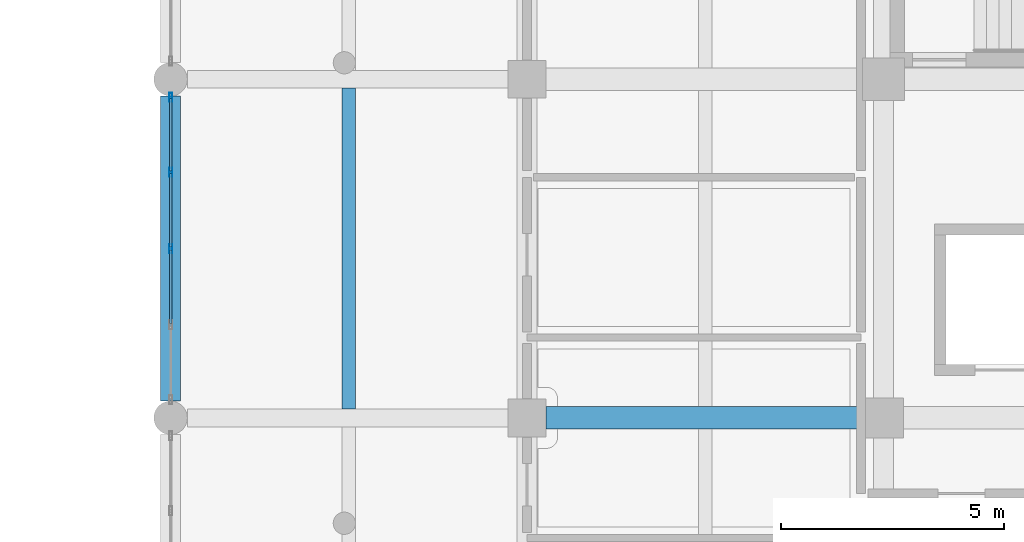
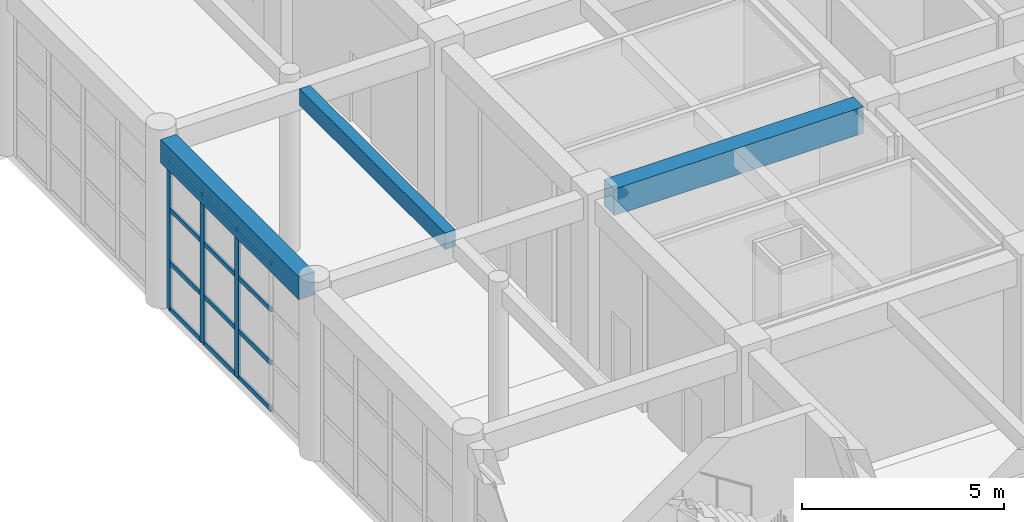
# One storey, part 26 of 95: 15 members, 3 beams, 1 element without a shape of its own.
"""IFC4 building model written with IfcOpenShell, lengths in metres."""

from ifc_helpers import new_model, si_unit, direction, frame, origin, origin_2d, place, context, subcontext, project, spatial, rectangle, hollow_rectangle, extrude, material, material_profile, profile_set, type_object, element, aggregate, save


model = new_model("IFC4")

# Units and contexts
model_context = context("Model", 3, precision=1e-05, world=origin(), true_north=direction((0.0, 1.0)))
body_context = subcontext(model_context, "Body", "Model", "MODEL_VIEW")
ifc_project = project(units=[si_unit("LENGTHUNIT", "METRE"), si_unit("AREAUNIT", "SQUARE_METRE"), si_unit("VOLUMEUNIT", "CUBIC_METRE"), si_unit("PLANEANGLEUNIT", "RADIAN"), si_unit("MASSUNIT", "GRAM", prefix="KILO")], contexts=[model_context])

# Site, building, storey
site_placement = place(None, origin())
site = spatial("IfcSite", under=ifc_project, at=site_placement, CompositionType="ELEMENT")
building_placement = place(site_placement, origin())
building = spatial("IfcBuilding", under=site, at=building_placement, Name="Zantavel Square City Hall", CompositionType="ELEMENT")
storey_placement = place(building_placement, origin())
storey = spatial("IfcBuildingStorey", under=building, at=storey_placement, Name="L01", CompositionType="ELEMENT", Elevation=0.0)

# Curtain wall, members
ifc_material_1 = material(Name="Anodised aluminium 6063-T6", Category="aluminium")
curtain_wall_type = type_object("IfcCurtainWallType", Name="Curtain Wall CRT 6850x4460", PredefinedType="USERDEFINED", material=ifc_material_1)
curtain_wall_placement = place(storey_placement, origin())
curtain_wall = element("IfcCurtainWall", 1, at=curtain_wall_placement, inside=storey, type_object=curtain_wall_type, Name="L01 Glazed Curtain Wall CW-L01-016", ObjectType="GLAZED CURTAIN WALL", PredefinedType="USERDEFINED")
ifc_material_profile_1 = material_profile(ifc_material_1, hollow_rectangle(XDim=0.070068359375, YDim=0.199951171875, WallThickness=0.00439453125, at=origin_2d()), Name="ALU 70x200x4.5")
ifc_profile_set_1 = profile_set([ifc_material_profile_1], Name="Anodised aluminium 6063-T6")
member_type_1 = type_object("IfcMemberType", Name="CW Heavy Hall Mullion ALU 70x200x4.5", PredefinedType="MULLION", material=ifc_profile_set_1)
member_1_placement = place(storey_placement, frame((48.0, 57.0, 0.0), z_axis=(0.0, 0.0, 1.0), x_axis=(-1.0, 0.0, 0.0)))
member_1 = element("IfcMember", 2, at=member_1_placement, type_object=member_type_1, Name="CW-016 mullion 3", PredefinedType="MULLION", context=body_context, shape_type="SweptSolid", body=[
    extrude(hollow_rectangle(XDim=0.070068359375, YDim=0.199951171875, WallThickness=0.00439453125, at=origin_2d()), origin(), (0.0, 0.0, 1.0), 4.4599609375),
])
member_2_placement = place(storey_placement, frame((48.0, 58.71240234375, 0.0), z_axis=(0.0, 0.0, 1.0), x_axis=(-1.0, 0.0, 0.0)))
member_2 = element("IfcMember", 3, at=member_2_placement, type_object=member_type_1, Name="CW-016 mullion 4", PredefinedType="MULLION", context=body_context, shape_type="SweptSolid", body=[
    extrude(hollow_rectangle(XDim=0.070068359375, YDim=0.199951171875, WallThickness=0.00439453125, at=origin_2d()), origin(), (0.0, 0.0, 1.0), 4.4599609375),
])
member_3_placement = place(storey_placement, frame((48.0, 60.39501953125, 0.0), z_axis=(0.0, 0.0, 1.0), x_axis=(-1.0, 0.0, 0.0)))
member_3 = element("IfcMember", 4, at=member_3_placement, type_object=member_type_1, Name="CW-016 mullion 5", PredefinedType="MULLION", context=body_context, shape_type="SweptSolid", body=[
    extrude(hollow_rectangle(XDim=0.070068359375, YDim=0.199951171875, WallThickness=0.00439453125, at=origin_2d()), origin(), (0.0, 0.0, 1.0), 4.4599609375),
])
ifc_material_profile_2 = material_profile(ifc_material_1, hollow_rectangle(XDim=0.06005859375, YDim=0.139892578125, WallThickness=0.00390625, at=origin_2d()), Name="ALU 60x140x4")
ifc_profile_set_2 = profile_set([ifc_material_profile_2], Name="Anodised aluminium 6063-T6")
member_type_2 = type_object("IfcMemberType", Name="CW Transom ALU 60x140x4", PredefinedType="USERDEFINED", material=ifc_profile_set_2)
member_4_placement = place(storey_placement, frame((48.0, 55.3173828125, 0.030029296875), z_axis=(0.0, 1.0, 0.0), x_axis=(-1.0, 0.0, 0.0)))
member_4 = element("IfcMember", 5, at=member_4_placement, type_object=member_type_2, Name="CW-016 transom 2.1", ObjectType="TRANSOM", PredefinedType="USERDEFINED", context=body_context, shape_type="SweptSolid", body=[
    extrude(hollow_rectangle(XDim=0.06005859375, YDim=0.139892578125, WallThickness=0.00390625, at=origin_2d()), origin(), (0.0, 0.0, 1.0), 1.652587890625),
])
member_5_placement = place(storey_placement, frame((48.0, 55.3173828125, 1.427001953125), z_axis=(0.0, 1.0, 0.0), x_axis=(-1.0, 0.0, 0.0)))
member_5 = element("IfcMember", 6, at=member_5_placement, type_object=member_type_2, Name="CW-016 transom 2.2", ObjectType="TRANSOM", PredefinedType="USERDEFINED", context=body_context, shape_type="SweptSolid", body=[
    extrude(hollow_rectangle(XDim=0.06005859375, YDim=0.139892578125, WallThickness=0.00390625, at=origin_2d()), origin(), (0.0, 0.0, 1.0), 1.652587890625),
])
member_6_placement = place(storey_placement, frame((48.0, 55.3173828125, 3.032958984375), z_axis=(0.0, 1.0, 0.0), x_axis=(-1.0, 0.0, 0.0)))
member_6 = element("IfcMember", 7, at=member_6_placement, type_object=member_type_2, Name="CW-016 transom 2.3", ObjectType="TRANSOM", PredefinedType="USERDEFINED", context=body_context, shape_type="SweptSolid", body=[
    extrude(hollow_rectangle(XDim=0.06005859375, YDim=0.139892578125, WallThickness=0.00390625, at=origin_2d()), origin(), (0.0, 0.0, 1.0), 1.652587890625),
])
member_7_placement = place(storey_placement, frame((48.0, 55.3173828125, 4.429931640625), z_axis=(0.0, 1.0, 0.0), x_axis=(-1.0, 0.0, 0.0)))
member_7 = element("IfcMember", 8, at=member_7_placement, type_object=member_type_2, Name="CW-016 transom 2.4", ObjectType="TRANSOM", PredefinedType="USERDEFINED", context=body_context, shape_type="SweptSolid", body=[
    extrude(hollow_rectangle(XDim=0.06005859375, YDim=0.139892578125, WallThickness=0.00390625, at=origin_2d()), origin(), (0.0, 0.0, 1.0), 1.652587890625),
])
member_8_placement = place(storey_placement, frame((48.0, 57.030029296875, 0.030029296875), z_axis=(0.0, 1.0, 0.0), x_axis=(-1.0, 0.0, 0.0)))
member_8 = element("IfcMember", 9, at=member_8_placement, type_object=member_type_2, Name="CW-016 transom 3.1", ObjectType="TRANSOM", PredefinedType="USERDEFINED", context=body_context, shape_type="SweptSolid", body=[
    extrude(hollow_rectangle(XDim=0.06005859375, YDim=0.139892578125, WallThickness=0.00390625, at=origin_2d()), origin(), (0.0, 0.0, 1.0), 1.652587890625),
])
member_9_placement = place(storey_placement, frame((48.0, 57.030029296875, 1.427001953125), z_axis=(0.0, 1.0, 0.0), x_axis=(-1.0, 0.0, 0.0)))
member_9 = element("IfcMember", 10, at=member_9_placement, type_object=member_type_2, Name="CW-016 transom 3.2", ObjectType="TRANSOM", PredefinedType="USERDEFINED", context=body_context, shape_type="SweptSolid", body=[
    extrude(hollow_rectangle(XDim=0.06005859375, YDim=0.139892578125, WallThickness=0.00390625, at=origin_2d()), origin(), (0.0, 0.0, 1.0), 1.652587890625),
])
member_10_placement = place(storey_placement, frame((48.0, 57.030029296875, 3.032958984375), z_axis=(0.0, 1.0, 0.0), x_axis=(-1.0, 0.0, 0.0)))
member_10 = element("IfcMember", 11, at=member_10_placement, type_object=member_type_2, Name="CW-016 transom 3.3", ObjectType="TRANSOM", PredefinedType="USERDEFINED", context=body_context, shape_type="SweptSolid", body=[
    extrude(hollow_rectangle(XDim=0.06005859375, YDim=0.139892578125, WallThickness=0.00390625, at=origin_2d()), origin(), (0.0, 0.0, 1.0), 1.652587890625),
])
member_11_placement = place(storey_placement, frame((48.0, 57.030029296875, 4.429931640625), z_axis=(0.0, 1.0, 0.0), x_axis=(-1.0, 0.0, 0.0)))
member_11 = element("IfcMember", 12, at=member_11_placement, type_object=member_type_2, Name="CW-016 transom 3.4", ObjectType="TRANSOM", PredefinedType="USERDEFINED", context=body_context, shape_type="SweptSolid", body=[
    extrude(hollow_rectangle(XDim=0.06005859375, YDim=0.139892578125, WallThickness=0.00390625, at=origin_2d()), origin(), (0.0, 0.0, 1.0), 1.652587890625),
])
member_12_placement = place(storey_placement, frame((48.0, 58.742431640625, 0.030029296875), z_axis=(0.0, 1.0, 0.0), x_axis=(-1.0, 0.0, 0.0)))
member_12 = element("IfcMember", 13, at=member_12_placement, type_object=member_type_2, Name="CW-016 transom 4.1", ObjectType="TRANSOM", PredefinedType="USERDEFINED", context=body_context, shape_type="SweptSolid", body=[
    extrude(hollow_rectangle(XDim=0.06005859375, YDim=0.139892578125, WallThickness=0.00390625, at=origin_2d()), origin(), (0.0, 0.0, 1.0), 1.62255859375),
])
member_13_placement = place(storey_placement, frame((48.0, 58.742431640625, 1.427001953125), z_axis=(0.0, 1.0, 0.0), x_axis=(-1.0, 0.0, 0.0)))
member_13 = element("IfcMember", 14, at=member_13_placement, type_object=member_type_2, Name="CW-016 transom 4.2", ObjectType="TRANSOM", PredefinedType="USERDEFINED", context=body_context, shape_type="SweptSolid", body=[
    extrude(hollow_rectangle(XDim=0.06005859375, YDim=0.139892578125, WallThickness=0.00390625, at=origin_2d()), origin(), (0.0, 0.0, 1.0), 1.62255859375),
])
member_14_placement = place(storey_placement, frame((48.0, 58.742431640625, 3.032958984375), z_axis=(0.0, 1.0, 0.0), x_axis=(-1.0, 0.0, 0.0)))
member_14 = element("IfcMember", 15, at=member_14_placement, type_object=member_type_2, Name="CW-016 transom 4.3", ObjectType="TRANSOM", PredefinedType="USERDEFINED", context=body_context, shape_type="SweptSolid", body=[
    extrude(hollow_rectangle(XDim=0.06005859375, YDim=0.139892578125, WallThickness=0.00390625, at=origin_2d()), origin(), (0.0, 0.0, 1.0), 1.62255859375),
])
member_15_placement = place(storey_placement, frame((48.0, 58.742431640625, 4.429931640625), z_axis=(0.0, 1.0, 0.0), x_axis=(-1.0, 0.0, 0.0)))
member_15 = element("IfcMember", 16, at=member_15_placement, type_object=member_type_2, Name="CW-016 transom 4.4", ObjectType="TRANSOM", PredefinedType="USERDEFINED", context=body_context, shape_type="SweptSolid", body=[
    extrude(hollow_rectangle(XDim=0.06005859375, YDim=0.139892578125, WallThickness=0.00390625, at=origin_2d()), origin(), (0.0, 0.0, 1.0), 1.62255859375),
])
aggregate(curtain_wall, [member_1, member_2, member_3, member_4, member_5, member_6, member_7, member_8, member_9, member_10, member_11, member_12, member_13, member_14, member_15])

# Beams
ifc_material_2 = material(Name="Concrete C35/45", Category="concrete")
ifc_material_profile_3 = material_profile(ifc_material_2, rectangle(XDim=0.300048828125, YDim=0.5, at=origin_2d()), Name="RC 300x500")
ifc_profile_set_3 = profile_set([ifc_material_profile_3], Name="Concrete C35/45")
beam_type_1 = type_object("IfcBeamType", Name="Floor Joist RC 300x500 C35/45", PredefinedType="JOIST", material=ifc_profile_set_3)
beam_1_placement = place(storey_placement, frame((52.0, 53.39990234375, 4.909912109375), z_axis=(0.0, 1.0, 0.0), x_axis=(-1.0, 0.0, 0.0)))
element("IfcBeam", 17, at=beam_1_placement, inside=storey, type_object=beam_type_1, Name="L01 Floor Joist JST-L01-0520-0532", PredefinedType="JOIST", context=body_context, shape_type="SweptSolid", body=[
    extrude(rectangle(XDim=0.300048828125, YDim=0.5, at=origin_2d()), origin(), (0.0, 0.0, 1.0), 7.2001953125),
])
ifc_material_profile_4 = material_profile(ifc_material_2, rectangle(XDim=0.449951171875, YDim=0.699951171875, at=origin_2d()), Name="RC 450x700")
ifc_profile_set_4 = profile_set([ifc_material_profile_4], Name="Concrete C35/45")
beam_type_2 = type_object("IfcBeamType", Name="Primary Girder RC 450x700 C35/45", PredefinedType="BEAM", material=ifc_profile_set_4)
beam_2_placement = place(storey_placement, frame((48.0, 53.574951171875, 4.81005859375), z_axis=(0.0, 1.0, 0.0), x_axis=(-1.0, 0.0, 0.0)))
element("IfcBeam", 18, at=beam_2_placement, inside=storey, type_object=beam_type_2, Name="L01 Beam BMY-L01-0480-0532", PredefinedType="BEAM", context=body_context, shape_type="SweptSolid", body=[
    extrude(rectangle(XDim=0.449951171875, YDim=0.699951171875, at=origin_2d()), origin(), (0.0, 0.0, 1.0), 6.85009765625),
])
ifc_material_profile_5 = material_profile(ifc_material_2, rectangle(XDim=0.5, YDim=0.800048828125, at=origin_2d()), Name="RC 500x800")
ifc_profile_set_5 = profile_set([ifc_material_profile_5], Name="Concrete C35/45")
beam_type_3 = type_object("IfcBeamType", Name="Primary Girder RC 500x800 C35/45", PredefinedType="BEAM", material=ifc_profile_set_5)
beam_3_placement = place(storey_placement, frame((56.425048828125, 53.199951171875, 4.760009765625), z_axis=(1.0, 0.0, 0.0), x_axis=(0.0, 1.0, 0.0)))
element("IfcBeam", 19, at=beam_3_placement, inside=storey, type_object=beam_type_3, Name="L01 Girder BMX-L01-0560-0532", PredefinedType="BEAM", context=body_context, shape_type="SweptSolid", body=[
    extrude(rectangle(XDim=0.5, YDim=0.800048828125, at=origin_2d()), origin(), (0.0, 0.0, 1.0), 7.125),
])

save(model, "model.ifc")
